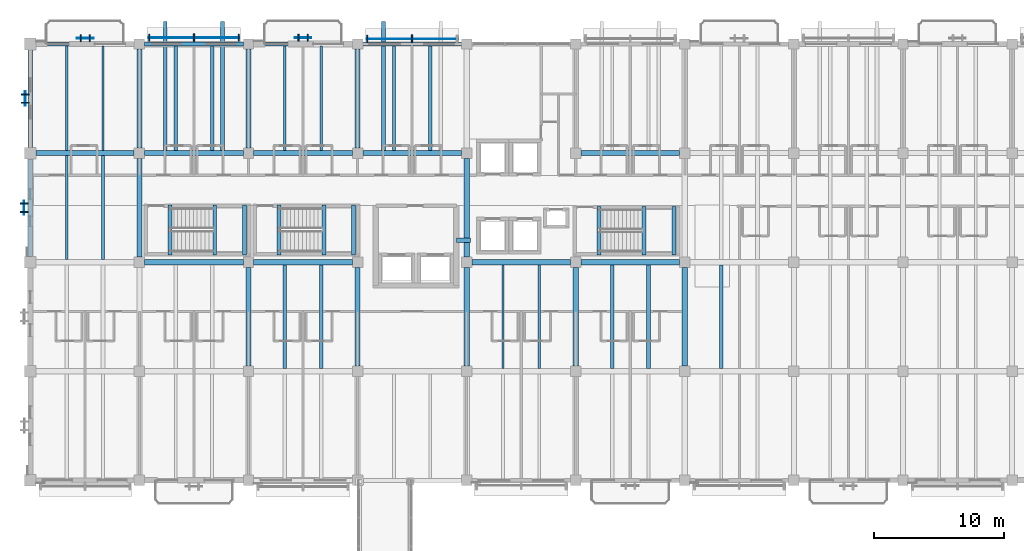
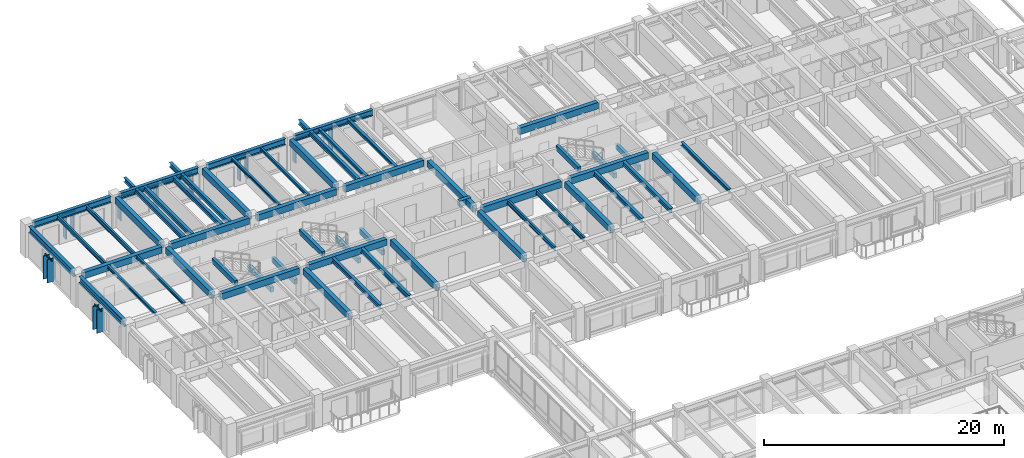
# One storey, part 18 of 123: 55 beams, 19 members, 6 elements without a shape of their own.
"""IFC4 building model written with IfcOpenShell, lengths in metres."""

from ifc_helpers import new_model, si_unit, direction, frame, origin, origin_2d, place, context, subcontext, project, spatial, rectangle, i_section, extrude, material, material_profile, profile_set, type_object, element, aggregate, save


model = new_model("IFC4")

# Units and contexts
model_context = context("Model", 3, precision=1e-05, world=origin(), true_north=direction((0.0, 1.0)))
body_context = subcontext(model_context, "Body", "Model", "MODEL_VIEW")
ifc_project = project(units=[si_unit("LENGTHUNIT", "METRE"), si_unit("AREAUNIT", "SQUARE_METRE"), si_unit("VOLUMEUNIT", "CUBIC_METRE"), si_unit("PLANEANGLEUNIT", "RADIAN"), si_unit("MASSUNIT", "GRAM", prefix="KILO")], contexts=[model_context])

# Site, building, storey
site_placement = place(None, origin())
site = spatial("IfcSite", under=ifc_project, at=site_placement, CompositionType="ELEMENT")
building_placement = place(site_placement, origin())
building = spatial("IfcBuilding", under=site, at=building_placement, Name="Cumbredor Promenade Congress Hotel", CompositionType="ELEMENT")
storey_placement = place(building_placement, frame((0.0, 0.0, 11.760009765625)))
storey = spatial("IfcBuildingStorey", under=building, at=storey_placement, Name="L03", CompositionType="ELEMENT", Elevation=11.760009765625)

# Beams
ifc_material_1 = material(Name="Concrete C40/50", Category="concrete")
ifc_material_profile_1 = material_profile(ifc_material_1, rectangle(XDim=0.39990234375, YDim=0.64990234375, at=origin_2d()), Name="RC BEAM 400x650")
ifc_profile_set_1 = profile_set([ifc_material_profile_1], Name="Concrete C40/50")
beam_type_1 = type_object("IfcBeamType", Name="BM-RC-400x650", PredefinedType="BEAM", material=ifc_profile_set_1)
beam_1_placement = place(storey_placement, frame((0.449951171875, 109.199951171875, 2.794921875), z_axis=(1.0, 0.0, 0.0), x_axis=(0.0, 1.0, 0.0)))
element("IfcBeam", 1, at=beam_1_placement, inside=storey, type_object=beam_type_1, Name="L04 X-Grid Beam 007", PredefinedType="BEAM", context=body_context, shape_type="SweptSolid", body=[
    extrude(rectangle(XDim=0.39990234375, YDim=0.64990234375, at=origin_2d()), origin(), (0.0, 0.0, 1.0), 7.550048828125),
])
beam_2_placement = place(storey_placement, frame((8.800048828125, 100.800048828125, 2.794921875), z_axis=(1.0, 0.0, 0.0), x_axis=(0.0, 1.0, 0.0)))
element("IfcBeam", 2, at=beam_2_placement, inside=storey, type_object=beam_type_1, Name="L04 X-Grid Beam 029", PredefinedType="BEAM", context=body_context, shape_type="SweptSolid", body=[
    extrude(rectangle(XDim=0.39990234375, YDim=0.64990234375, at=origin_2d()), origin(), (0.0, 0.0, 1.0), 7.599853515625),
])
beam_3_placement = place(storey_placement, frame((8.39990234375, 101.199951171875, 2.794921875), z_axis=(0.0, 1.0, 0.0), x_axis=(-1.0, 0.0, 0.0)))
element("IfcBeam", 3, at=beam_3_placement, inside=storey, type_object=beam_type_1, Name="L04 Y-Grid Beam 030", PredefinedType="BEAM", context=body_context, shape_type="SweptSolid", body=[
    extrude(rectangle(XDim=0.39990234375, YDim=0.64990234375, at=origin_2d()), origin(), (0.0, 0.0, 1.0), 7.60009765625),
])
for number, where, z_axis, x_axis, name in (
    (4, (8.800048828125, 109.199951171875, 2.794921875), (1.0, 0.0, 0.0), (0.0, 1.0, 0.0), "L04 X-Grid Beam 031"),
    (5, (8.39990234375, 109.60009765625, 2.794921875), (0.0, 1.0, 0.0), (-1.0, 0.0, 0.0), "L04 Y-Grid Beam 032"),
    (6, (16.800048828125, 92.800048828125, 2.794921875), (0.0, 1.0, 0.0), (-1.0, 0.0, 0.0), "L04 Y-Grid Beam 046"),
):
    element("IfcBeam", number, at=place(storey_placement, frame(where, z_axis=z_axis, x_axis=x_axis)), inside=storey, type_object=beam_type_1, Name=name, PredefinedType="BEAM", context=body_context, shape_type="SweptSolid", body=[
        extrude(rectangle(XDim=0.39990234375, YDim=0.64990234375, at=origin_2d()), origin(), (0.0, 0.0, 1.0), 7.599853515625),
    ])
for number, where, z_axis, x_axis, name in (
    (7, (17.199951171875, 100.800048828125, 2.794921875), (1.0, 0.0, 0.0), (0.0, 1.0, 0.0), "L04 X-Grid Beam 047"),
    (8, (17.199951171875, 109.199951171875, 2.794921875), (1.0, 0.0, 0.0), (0.0, 1.0, 0.0), "L04 X-Grid Beam 048"),
):
    element("IfcBeam", number, at=place(storey_placement, frame(where, z_axis=z_axis, x_axis=x_axis)), inside=storey, type_object=beam_type_1, Name=name, PredefinedType="BEAM", context=body_context, shape_type="SweptSolid", body=[
        extrude(rectangle(XDim=0.39990234375, YDim=0.64990234375, at=origin_2d()), origin(), (0.0, 0.0, 1.0), 7.60009765625),
    ])
for number, where, z_axis, x_axis, name in (
    (9, (16.800048828125, 109.60009765625, 2.794921875), (0.0, 1.0, 0.0), (-1.0, 0.0, 0.0), "L04 Y-Grid Beam 049"),
    (10, (25.199951171875, 92.800048828125, 2.794921875), (0.0, 1.0, 0.0), (-1.0, 0.0, 0.0), "L04 Y-Grid Beam 059"),
    (11, (25.60009765625, 109.199951171875, 2.794921875), (1.0, 0.0, 0.0), (0.0, 1.0, 0.0), "L04 X-Grid Beam 060"),
    (12, (25.199951171875, 109.60009765625, 2.794921875), (0.0, 1.0, 0.0), (-1.0, 0.0, 0.0), "L04 Y-Grid Beam 061"),
    (13, (33.60009765625, 92.800048828125, 2.794921875), (0.0, 1.0, 0.0), (-1.0, 0.0, 0.0), "L04 Y-Grid Beam 071"),
):
    element("IfcBeam", number, at=place(storey_placement, frame(where, z_axis=z_axis, x_axis=x_axis)), inside=storey, type_object=beam_type_1, Name=name, PredefinedType="BEAM", context=body_context, shape_type="SweptSolid", body=[
        extrude(rectangle(XDim=0.39990234375, YDim=0.64990234375, at=origin_2d()), origin(), (0.0, 0.0, 1.0), 7.599853515625),
    ])
for number, where, z_axis, x_axis, name in (
    (14, (34.0, 100.800048828125, 2.794921875), (1.0, 0.0, 0.0), (0.0, 1.0, 0.0), "L04 X-Grid Beam 072"),
    (15, (33.60009765625, 101.199951171875, 2.794921875), (0.0, 1.0, 0.0), (-1.0, 0.0, 0.0), "L04 Y-Grid Beam 073"),
):
    element("IfcBeam", number, at=place(storey_placement, frame(where, z_axis=z_axis, x_axis=x_axis)), inside=storey, type_object=beam_type_1, Name=name, PredefinedType="BEAM", context=body_context, shape_type="SweptSolid", body=[
        extrude(rectangle(XDim=0.39990234375, YDim=0.64990234375, at=origin_2d()), origin(), (0.0, 0.0, 1.0), 7.60009765625),
    ])
beam_4_placement = place(storey_placement, frame((42.0, 92.800048828125, 2.794921875), z_axis=(0.0, 1.0, 0.0), x_axis=(-1.0, 0.0, 0.0)))
element("IfcBeam", 16, at=beam_4_placement, inside=storey, type_object=beam_type_1, Name="L04 Y-Grid Beam 084", PredefinedType="BEAM", context=body_context, shape_type="SweptSolid", body=[
    extrude(rectangle(XDim=0.39990234375, YDim=0.64990234375, at=origin_2d()), origin(), (0.0, 0.0, 1.0), 7.599853515625),
])
for number, where, z_axis, x_axis, name in (
    (17, (42.39990234375, 100.800048828125, 2.794921875), (1.0, 0.0, 0.0), (0.0, 1.0, 0.0), "L04 X-Grid Beam 085"),
    (18, (42.39990234375, 109.199951171875, 2.794921875), (1.0, 0.0, 0.0), (0.0, 1.0, 0.0), "L04 X-Grid Beam 086"),
):
    element("IfcBeam", number, at=place(storey_placement, frame(where, z_axis=z_axis, x_axis=x_axis)), inside=storey, type_object=beam_type_1, Name=name, PredefinedType="BEAM", context=body_context, shape_type="SweptSolid", body=[
        extrude(rectangle(XDim=0.39990234375, YDim=0.64990234375, at=origin_2d()), origin(), (0.0, 0.0, 1.0), 7.60009765625),
    ])
beam_5_placement = place(storey_placement, frame((50.39990234375, 92.800048828125, 2.794921875), z_axis=(0.0, 1.0, 0.0), x_axis=(-1.0, 0.0, 0.0)))
element("IfcBeam", 19, at=beam_5_placement, inside=storey, type_object=beam_type_1, Name="L04 Y-Grid Beam 097", PredefinedType="BEAM", context=body_context, shape_type="SweptSolid", body=[
    extrude(rectangle(XDim=0.39990234375, YDim=0.64990234375, at=origin_2d()), origin(), (0.0, 0.0, 1.0), 7.599853515625),
])
ifc_material_2 = material(Name="Steel ASTM A992 Grade 50", Category="steel")
ifc_material_profile_2 = material_profile(ifc_material_2, i_section(OverallWidth=0.323974609375, OverallDepth=0.611083984375, WebThickness=0.0126953125, FlangeThickness=0.01904296875, at=origin_2d()), Name="W24X104")
ifc_profile_set_2 = profile_set([ifc_material_profile_2], Name="Steel ASTM A992 Grade 50")
beam_type_2 = type_object("IfcBeamType", Name="BM-W24X104", PredefinedType="BEAM", material=ifc_profile_set_2)
beam_6_placement = place(storey_placement, frame((0.449951171875, 117.60009765625, 2.814453125), z_axis=(1.0, 0.0, 0.0), x_axis=(0.0, 1.0, 0.0)))
element("IfcBeam", 20, at=beam_6_placement, inside=storey, type_object=beam_type_2, Name="L04 X-Grid Beam 009", PredefinedType="BEAM", context=body_context, shape_type="SweptSolid", body=[
    extrude(i_section(OverallWidth=0.323974609375, OverallDepth=0.611083984375, WebThickness=0.0126953125, FlangeThickness=0.01904296875, at=origin_2d()), origin(), (0.0, 0.0, 1.0), 7.550048828125),
])
beam_7_placement = place(storey_placement, frame((8.800048828125, 117.60009765625, 2.814453125), z_axis=(1.0, 0.0, 0.0), x_axis=(0.0, 1.0, 0.0)))
element("IfcBeam", 21, at=beam_7_placement, inside=storey, type_object=beam_type_2, Name="L04 X-Grid Beam 033", PredefinedType="BEAM", context=body_context, shape_type="SweptSolid", body=[
    extrude(i_section(OverallWidth=0.323974609375, OverallDepth=0.611083984375, WebThickness=0.0126953125, FlangeThickness=0.01904296875, at=origin_2d()), origin(), (0.0, 0.0, 1.0), 7.599853515625),
])
beam_8_placement = place(storey_placement, frame((17.199951171875, 117.60009765625, 2.814453125), z_axis=(1.0, 0.0, 0.0), x_axis=(0.0, 1.0, 0.0)))
element("IfcBeam", 22, at=beam_8_placement, inside=storey, type_object=beam_type_2, Name="L04 X-Grid Beam 050", PredefinedType="BEAM", context=body_context, shape_type="SweptSolid", body=[
    extrude(i_section(OverallWidth=0.323974609375, OverallDepth=0.611083984375, WebThickness=0.0126953125, FlangeThickness=0.01904296875, at=origin_2d()), origin(), (0.0, 0.0, 1.0), 7.60009765625),
])
beam_9_placement = place(storey_placement, frame((25.60009765625, 117.60009765625, 2.814453125), z_axis=(1.0, 0.0, 0.0), x_axis=(0.0, 1.0, 0.0)))
element("IfcBeam", 23, at=beam_9_placement, inside=storey, type_object=beam_type_2, Name="L04 X-Grid Beam 062", PredefinedType="BEAM", context=body_context, shape_type="SweptSolid", body=[
    extrude(i_section(OverallWidth=0.323974609375, OverallDepth=0.611083984375, WebThickness=0.0126953125, FlangeThickness=0.01904296875, at=origin_2d()), origin(), (0.0, 0.0, 1.0), 7.599853515625),
])

# Curtain wall, member
ifc_material_3 = material(Name="Thermally broken anodized aluminium and low-E glass", Category="aluminium")
curtain_wall_type = type_object("IfcCurtainWallType", Name="Solar Brise-Soleil Screen Assembly CW-07", PredefinedType="NOTDEFINED", material=ifc_material_3)
curtain_wall_1_placement = place(storey_placement, origin())
curtain_wall_1 = element("IfcCurtainWall", 24, at=curtain_wall_1_placement, inside=storey, type_object=curtain_wall_type, Name="L03 Veranda Solar Brise-Soleil Screen 646", PredefinedType="NOTDEFINED")
ifc_material_4 = material(Name="Thermally broken anodized aluminium", Category="aluminium")
ifc_material_profile_3 = material_profile(ifc_material_4, rectangle(XDim=0.06494140625, YDim=0.1298828125, at=origin_2d()), Name="ALU TRANSOM 65x130")
ifc_profile_set_3 = profile_set([ifc_material_profile_3], Name="Thermally broken anodized aluminium")
member_type_1 = type_object("IfcMemberType", Name="Curtain Wall Transom TR-01", PredefinedType="USERDEFINED", material=ifc_profile_set_3)
member_1_placement = place(storey_placement, frame((3.574951171875, 118.050048828125, 2.4140625), z_axis=(1.0, 0.0, 0.0), x_axis=(0.0, 1.0, 0.0)))
member_1 = element("IfcMember", 25, at=member_1_placement, type_object=member_type_1, Name="L03 Brise-Soleil Header Tie 0648", ObjectType="TRANSOM", PredefinedType="USERDEFINED", context=body_context, shape_type="SweptSolid", body=[
    extrude(rectangle(XDim=0.06494140625, YDim=0.1298828125, at=origin_2d()), origin(), (0.0, 0.0, 1.0), 1.300048828125),
])

curtain_wall_2_placement = place(storey_placement, origin())
curtain_wall_2 = element("IfcCurtainWall", 26, at=curtain_wall_2_placement, inside=storey, type_object=curtain_wall_type, Name="L03 Hospitality Brise-Soleil Screen 061", PredefinedType="NOTDEFINED")
member_2_placement = place(storey_placement, frame((9.10107421875, 118.072509765625, 2.31396484375), z_axis=(1.0, 0.0, 0.0), x_axis=(0.0, 1.0, 0.0)))
member_2 = element("IfcMember", 27, at=member_2_placement, type_object=member_type_1, Name="L03 Brise-Soleil Screen Transom 061", ObjectType="TRANSOM", PredefinedType="USERDEFINED", context=body_context, shape_type="SweptSolid", body=[
    extrude(rectangle(XDim=0.06494140625, YDim=0.1298828125, at=origin_2d()), origin(), (0.0, 0.0, 1.0), 6.998046875),
])

curtain_wall_3_placement = place(storey_placement, origin())
curtain_wall_3 = element("IfcCurtainWall", 28, at=curtain_wall_3_placement, inside=storey, type_object=curtain_wall_type, Name="L03 Veranda Solar Brise-Soleil Screen 652", PredefinedType="NOTDEFINED")
member_3_placement = place(storey_placement, frame((20.35009765625, 118.0849609375, 2.4140625), z_axis=(1.0, 0.0, 0.0), x_axis=(0.0, 1.0, 0.0)))
member_3 = element("IfcMember", 29, at=member_3_placement, type_object=member_type_1, Name="L03 Brise-Soleil Header Tie 0654", ObjectType="TRANSOM", PredefinedType="USERDEFINED", context=body_context, shape_type="SweptSolid", body=[
    extrude(rectangle(XDim=0.06494140625, YDim=0.1298828125, at=origin_2d()), origin(), (0.0, 0.0, 1.0), 1.2998046875),
])

curtain_wall_4_placement = place(storey_placement, origin())
curtain_wall_4 = element("IfcCurtainWall", 30, at=curtain_wall_4_placement, inside=storey, type_object=curtain_wall_type, Name="L03 Hospitality Brise-Soleil Screen 062", PredefinedType="NOTDEFINED")
member_4_placement = place(storey_placement, frame((25.90087890625, 117.989990234375, 2.31396484375), z_axis=(1.0, 0.0, 0.0), x_axis=(0.0, 1.0, 0.0)))
member_4 = element("IfcMember", 31, at=member_4_placement, type_object=member_type_1, Name="L03 Brise-Soleil Screen Transom 062", ObjectType="TRANSOM", PredefinedType="USERDEFINED", context=body_context, shape_type="SweptSolid", body=[
    extrude(rectangle(XDim=0.06494140625, YDim=0.1298828125, at=origin_2d()), origin(), (0.0, 0.0, 1.0), 6.998046875),
])

curtain_wall_5_placement = place(storey_placement, origin())
curtain_wall_5 = element("IfcCurtainWall", 32, at=curtain_wall_5_placement, inside=storey, type_object=curtain_wall_type, Name="L03 Pier Brise-Soleil Screen 0679", PredefinedType="NOTDEFINED")
member_5_placement = place(storey_placement, frame((-0.485107421875, 104.449951171875, 2.333984375), z_axis=(0.0, 1.0, 0.0), x_axis=(-1.0, 0.0, 0.0)))
member_5 = element("IfcMember", 33, at=member_5_placement, type_object=member_type_1, Name="L03 Pier Brise-Soleil Header 0681", ObjectType="TRANSOM", PredefinedType="USERDEFINED", context=body_context, shape_type="SweptSolid", body=[
    extrude(rectangle(XDim=0.06494140625, YDim=0.1298828125, at=origin_2d()), origin(), (0.0, 0.0, 1.0), 1.10009765625),
])

curtain_wall_6_placement = place(storey_placement, origin())
curtain_wall_6 = element("IfcCurtainWall", 34, at=curtain_wall_6_placement, inside=storey, type_object=curtain_wall_type, Name="L03 Pier Brise-Soleil Screen 0682", PredefinedType="NOTDEFINED")
member_6_placement = place(storey_placement, frame((-0.389892578125, 112.85009765625, 2.333984375), z_axis=(0.0, 1.0, 0.0), x_axis=(-1.0, 0.0, 0.0)))
member_6 = element("IfcMember", 35, at=member_6_placement, type_object=member_type_1, Name="L03 Pier Brise-Soleil Header 0684", ObjectType="TRANSOM", PredefinedType="USERDEFINED", context=body_context, shape_type="SweptSolid", body=[
    extrude(rectangle(XDim=0.06494140625, YDim=0.1298828125, at=origin_2d()), origin(), (0.0, 0.0, 1.0), 1.099853515625),
])

# Beams
ifc_material_profile_4 = material_profile(ifc_material_2, i_section(OverallWidth=0.202880859375, OverallDepth=0.302978515625, WebThickness=0.007568359375, FlangeThickness=0.01318359375, at=origin_2d()), Name="W12X40")
ifc_profile_set_4 = profile_set([ifc_material_profile_4], Name="Steel ASTM A992 Grade 50")
beam_type_3 = type_object("IfcBeamType", Name="JST-W12X40", PredefinedType="JOIST", material=ifc_profile_set_4)
for number, where, z_axis, x_axis, name in (
    (36, (2.800048828125, 101.0, 2.968505859375), (0.0, 1.0, 0.0), (-1.0, 0.0, 0.0), "L04 Secondary Floor Joist 0005"),
    (37, (5.60009765625, 101.0, 2.968505859375), (0.0, 1.0, 0.0), (-1.0, 0.0, 0.0), "L04 Secondary Floor Joist 0006"),
):
    element("IfcBeam", number, at=place(storey_placement, frame(where, z_axis=z_axis, x_axis=x_axis)), inside=storey, type_object=beam_type_3, Name=name, PredefinedType="JOIST", context=body_context, shape_type="SweptSolid", body=[
        extrude(i_section(OverallWidth=0.202880859375, OverallDepth=0.302978515625, WebThickness=0.007568359375, FlangeThickness=0.01318359375, at=origin_2d()), origin(), (0.0, 0.0, 1.0), 8.0),
    ])
for number, where, z_axis, x_axis, name in (
    (38, (19.60009765625, 109.39990234375, 2.968505859375), (0.0, 1.0, 0.0), (-1.0, 0.0, 0.0), "L04 Secondary Floor Joist 0030"),
    (39, (22.39990234375, 109.39990234375, 2.968505859375), (0.0, 1.0, 0.0), (-1.0, 0.0, 0.0), "L04 Secondary Floor Joist 0031"),
):
    element("IfcBeam", number, at=place(storey_placement, frame(where, z_axis=z_axis, x_axis=x_axis)), inside=storey, type_object=beam_type_3, Name=name, PredefinedType="JOIST", context=body_context, shape_type="SweptSolid", body=[
        extrude(i_section(OverallWidth=0.202880859375, OverallDepth=0.302978515625, WebThickness=0.007568359375, FlangeThickness=0.01318359375, at=origin_2d()), origin(), (0.0, 0.0, 1.0), 8.0380859375),
    ])
ifc_material_profile_5 = material_profile(ifc_material_2, i_section(OverallWidth=0.2548828125, OverallDepth=0.35693359375, WebThickness=0.010498046875, FlangeThickness=0.018310546875, at=origin_2d()), Name="W14X68")
ifc_profile_set_5 = profile_set([ifc_material_profile_5], Name="Steel ASTM A992 Grade 50")
beam_type_4 = type_object("IfcBeamType", Name="JST-W14X68", PredefinedType="JOIST", material=ifc_profile_set_5)
for number, where, z_axis, x_axis, name in (
    (40, (28.0, 109.39990234375, 2.94140625), (0.0, 1.0, 0.0), (-1.0, 0.0, 0.0), "L04 Secondary Floor Joist 0036"),
    (41, (30.800048828125, 109.39990234375, 2.94140625), (0.0, 1.0, 0.0), (-1.0, 0.0, 0.0), "L04 Secondary Floor Joist 0037"),
):
    element("IfcBeam", number, at=place(storey_placement, frame(where, z_axis=z_axis, x_axis=x_axis)), inside=storey, type_object=beam_type_4, Name=name, PredefinedType="JOIST", context=body_context, shape_type="SweptSolid", body=[
        extrude(i_section(OverallWidth=0.2548828125, OverallDepth=0.35693359375, WebThickness=0.010498046875, FlangeThickness=0.018310546875, at=origin_2d()), origin(), (0.0, 0.0, 1.0), 8.0380859375),
    ])
beam_10_placement = place(storey_placement, frame((53.199951171875, 92.60009765625, 2.94140625), z_axis=(0.0, 1.0, 0.0), x_axis=(-1.0, 0.0, 0.0)))
element("IfcBeam", 42, at=beam_10_placement, inside=storey, type_object=beam_type_4, Name="L04 Secondary Floor Joist 0056", PredefinedType="JOIST", context=body_context, shape_type="SweptSolid", body=[
    extrude(i_section(OverallWidth=0.2548828125, OverallDepth=0.35693359375, WebThickness=0.010498046875, FlangeThickness=0.018310546875, at=origin_2d()), origin(), (0.0, 0.0, 1.0), 8.0),
])
ifc_material_profile_6 = material_profile(ifc_material_2, i_section(OverallWidth=0.180908203125, OverallDepth=0.4169921875, WebThickness=0.010986328125, FlangeThickness=0.018310546875, at=origin_2d()), Name="W16X57")
ifc_profile_set_6 = profile_set([ifc_material_profile_6], Name="Steel ASTM A992 Grade 50")
beam_type_5 = type_object("IfcBeamType", Name="JST-W16X57", PredefinedType="JOIST", material=ifc_profile_set_6)
for number, where, z_axis, x_axis, name in (
    (43, (2.800048828125, 109.39990234375, 2.911376953125), (0.0, 1.0, 0.0), (-1.0, 0.0, 0.0), "L04 Secondary Floor Joist 0007"),
    (44, (5.60009765625, 109.39990234375, 2.911376953125), (0.0, 1.0, 0.0), (-1.0, 0.0, 0.0), "L04 Secondary Floor Joist 0008"),
):
    element("IfcBeam", number, at=place(storey_placement, frame(where, z_axis=z_axis, x_axis=x_axis)), inside=storey, type_object=beam_type_5, Name=name, PredefinedType="JOIST", context=body_context, shape_type="SweptSolid", body=[
        extrude(i_section(OverallWidth=0.180908203125, OverallDepth=0.4169921875, WebThickness=0.010986328125, FlangeThickness=0.018310546875, at=origin_2d()), origin(), (0.0, 0.0, 1.0), 8.0380859375),
    ])
for number, where, z_axis, x_axis, name in (
    (45, (36.39990234375, 92.60009765625, 2.911376953125), (0.0, 1.0, 0.0), (-1.0, 0.0, 0.0), "L04 Secondary Floor Joist 0042"),
    (46, (39.199951171875, 92.60009765625, 2.911376953125), (0.0, 1.0, 0.0), (-1.0, 0.0, 0.0), "L04 Secondary Floor Joist 0043"),
):
    element("IfcBeam", number, at=place(storey_placement, frame(where, z_axis=z_axis, x_axis=x_axis)), inside=storey, type_object=beam_type_5, Name=name, PredefinedType="JOIST", context=body_context, shape_type="SweptSolid", body=[
        extrude(i_section(OverallWidth=0.180908203125, OverallDepth=0.4169921875, WebThickness=0.010986328125, FlangeThickness=0.018310546875, at=origin_2d()), origin(), (0.0, 0.0, 1.0), 8.0),
    ])
ifc_material_profile_7 = material_profile(ifc_material_2, i_section(OverallWidth=0.280029296875, OverallDepth=0.462890625, WebThickness=0.0107421875, FlangeThickness=0.017333984375, at=origin_2d()), Name="W18X76")
ifc_profile_set_7 = profile_set([ifc_material_profile_7], Name="Steel ASTM A992 Grade 50")
beam_type_6 = type_object("IfcBeamType", Name="JST-W18X76", PredefinedType="JOIST", material=ifc_profile_set_7)
for number, where, z_axis, x_axis, name in (
    (47, (10.39990234375, 109.199951171875, 2.888427734375), (0.0, 1.0, 0.0), (-1.0, 0.0, 0.0), "L04 Balcony Back-Spanned Outrigger Beam 020.1"),
    (48, (14.800048828125, 109.199951171875, 2.888427734375), (0.0, 1.0, 0.0), (-1.0, 0.0, 0.0), "L04 Balcony Back-Spanned Outrigger Beam 020.2"),
    (49, (27.199951171875, 109.199951171875, 2.888427734375), (0.0, 1.0, 0.0), (-1.0, 0.0, 0.0), "L04 Balcony Back-Spanned Outrigger Beam 021.1"),
):
    element("IfcBeam", number, at=place(storey_placement, frame(where, z_axis=z_axis, x_axis=x_axis)), inside=storey, type_object=beam_type_6, Name=name, PredefinedType="JOIST", context=body_context, shape_type="SweptSolid", body=[
        extrude(i_section(OverallWidth=0.280029296875, OverallDepth=0.462890625, WebThickness=0.0107421875, FlangeThickness=0.017333984375, at=origin_2d()), origin(), (0.0, 0.0, 1.0), 10.150146484375),
    ])
for number, where, z_axis, x_axis, name in (
    (50, (11.199951171875, 109.39990234375, 2.888427734375), (0.0, 1.0, 0.0), (-1.0, 0.0, 0.0), "L04 Secondary Floor Joist 0023"),
    (51, (14.0, 109.39990234375, 2.888427734375), (0.0, 1.0, 0.0), (-1.0, 0.0, 0.0), "L04 Secondary Floor Joist 0024"),
):
    element("IfcBeam", number, at=place(storey_placement, frame(where, z_axis=z_axis, x_axis=x_axis)), inside=storey, type_object=beam_type_6, Name=name, PredefinedType="JOIST", context=body_context, shape_type="SweptSolid", body=[
        extrude(i_section(OverallWidth=0.280029296875, OverallDepth=0.462890625, WebThickness=0.0107421875, FlangeThickness=0.017333984375, at=origin_2d()), origin(), (0.0, 0.0, 1.0), 8.0380859375),
    ])
for number, where, z_axis, x_axis, name in (
    (52, (19.60009765625, 92.60009765625, 2.888427734375), (0.0, 1.0, 0.0), (-1.0, 0.0, 0.0), "L04 Secondary Floor Joist 0028"),
    (53, (22.39990234375, 92.60009765625, 2.888427734375), (0.0, 1.0, 0.0), (-1.0, 0.0, 0.0), "L04 Secondary Floor Joist 0029"),
    (54, (44.800048828125, 92.60009765625, 2.888427734375), (0.0, 1.0, 0.0), (-1.0, 0.0, 0.0), "L04 Secondary Floor Joist 0048"),
    (55, (47.60009765625, 92.60009765625, 2.888427734375), (0.0, 1.0, 0.0), (-1.0, 0.0, 0.0), "L04 Secondary Floor Joist 0049"),
):
    element("IfcBeam", number, at=place(storey_placement, frame(where, z_axis=z_axis, x_axis=x_axis)), inside=storey, type_object=beam_type_6, Name=name, PredefinedType="JOIST", context=body_context, shape_type="SweptSolid", body=[
        extrude(i_section(OverallWidth=0.280029296875, OverallDepth=0.462890625, WebThickness=0.0107421875, FlangeThickness=0.017333984375, at=origin_2d()), origin(), (0.0, 0.0, 1.0), 8.0),
    ])
ifc_material_profile_8 = material_profile(ifc_material_1, rectangle(XDim=0.300048828125, YDim=0.5, at=origin_2d()), Name="RC LINTEL 300x500")
ifc_profile_set_8 = profile_set([ifc_material_profile_8], Name="Concrete C40/50")
beam_type_7 = type_object("IfcBeamType", Name="LN-RC-300x500", PredefinedType="LINTEL", material=ifc_profile_set_8)
for number, where, z_axis, x_axis, name in (
    (56, (16.5, 101.3701171875, 1.22998046875), (0.0, 1.0, 0.0), (-1.0, 0.0, 0.0), "L03 Stair ST-01 Landing Ledger Beam E"),
    (57, (14.199951171875, 101.3701171875, 1.22998046875), (0.0, 1.0, 0.0), (-1.0, 0.0, 0.0), "L03 Stair ST-01 Landing Ledger Beam W"),
    (58, (10.75, 101.3701171875, 3.110107421875), (0.0, 1.0, 0.0), (-1.0, 0.0, 0.0), "L04 Stair ST-01 Well Header Trimmer Beam"),
    (59, (24.89990234375, 101.3701171875, 1.22998046875), (0.0, 1.0, 0.0), (-1.0, 0.0, 0.0), "L03 Stair ST-02 Landing Ledger Beam E"),
    (60, (22.60009765625, 101.3701171875, 1.22998046875), (0.0, 1.0, 0.0), (-1.0, 0.0, 0.0), "L03 Stair ST-02 Landing Ledger Beam W"),
    (61, (19.14990234375, 101.3701171875, 3.110107421875), (0.0, 1.0, 0.0), (-1.0, 0.0, 0.0), "L04 Stair ST-02 Well Header Trimmer Beam"),
):
    element("IfcBeam", number, at=place(storey_placement, frame(where, z_axis=z_axis, x_axis=x_axis)), inside=storey, type_object=beam_type_7, Name=name, PredefinedType="LINTEL", context=body_context, shape_type="SweptSolid", body=[
        extrude(rectangle(XDim=0.300048828125, YDim=0.5, at=origin_2d()), origin(), (0.0, 0.0, 1.0), 3.829833984375),
    ])
for number, where, z_axis, x_axis, name in (
    (62, (49.550048828125, 101.3701171875, 1.22998046875), (0.0, 1.0, 0.0), (-1.0, 0.0, 0.0), "L03 Stair ST-03 Landing Ledger Beam E"),
    (63, (47.25, 101.3701171875, 1.22998046875), (0.0, 1.0, 0.0), (-1.0, 0.0, 0.0), "L03 Stair ST-03 Landing Ledger Beam W"),
    (64, (43.800048828125, 101.3701171875, 3.110107421875), (0.0, 1.0, 0.0), (-1.0, 0.0, 0.0), "L04 Stair ST-03 Well Header Trimmer Beam"),
):
    element("IfcBeam", number, at=place(storey_placement, frame(where, z_axis=z_axis, x_axis=x_axis)), inside=storey, type_object=beam_type_7, Name=name, PredefinedType="LINTEL", context=body_context, shape_type="SweptSolid", body=[
        extrude(rectangle(XDim=0.300048828125, YDim=0.5, at=origin_2d()), origin(), (0.0, 0.0, 1.0), 3.72998046875),
    ])
ifc_material_profile_9 = material_profile(ifc_material_1, rectangle(XDim=0.35009765625, YDim=0.60009765625, at=origin_2d()), Name="RC LINTEL 350x600")
ifc_profile_set_9 = profile_set([ifc_material_profile_9], Name="Concrete C40/50")
beam_type_8 = type_object("IfcBeamType", Name="LN-RC-350x600", PredefinedType="LINTEL", material=ifc_profile_set_9)
beam_11_placement = place(storey_placement, frame((32.800048828125, 102.5, 2.820068359375), z_axis=(1.0, 0.0, 0.0), x_axis=(0.0, 1.0, 0.0)))
element("IfcBeam", 65, at=beam_11_placement, inside=storey, type_object=beam_type_8, Name="L03 Core Coupling Lintel Beam", PredefinedType="LINTEL", context=body_context, shape_type="SweptSolid", body=[
    extrude(rectangle(XDim=0.35009765625, YDim=0.60009765625, at=origin_2d()), origin(), (0.0, 0.0, 1.0), 1.099853515625),
])
ifc_material_profile_10 = material_profile(ifc_material_2, i_section(OverallWidth=0.323974609375, OverallDepth=0.611083984375, WebThickness=0.0126953125, FlangeThickness=0.01904296875, at=origin_2d()), Name="W24X104")
ifc_profile_set_10 = profile_set([ifc_material_profile_10], Name="Steel ASTM A992 Grade 50")
beam_type_9 = type_object("IfcBeamType", Name="SP-W24X104", PredefinedType="SPANDREL", material=ifc_profile_set_10)
for number, where, z_axis, x_axis, name in (
    (66, (0.0, 101.25, 2.814453125), (0.0, 1.0, 0.0), (-1.0, 0.0, 0.0), "L04 Y-Grid Beam 006"),
    (67, (0.0, 109.64990234375, 2.814453125), (0.0, 1.0, 0.0), (-1.0, 0.0, 0.0), "L04 Y-Grid Beam 008"),
):
    element("IfcBeam", number, at=place(storey_placement, frame(where, z_axis=z_axis, x_axis=x_axis)), inside=storey, type_object=beam_type_9, Name=name, PredefinedType="SPANDREL", context=body_context, shape_type="SweptSolid", body=[
        extrude(i_section(OverallWidth=0.323974609375, OverallDepth=0.611083984375, WebThickness=0.0126953125, FlangeThickness=0.01904296875, at=origin_2d()), origin(), (0.0, 0.0, 1.0), 7.5),
    ])

# Member
ifc_material_profile_11 = material_profile(ifc_material_4, rectangle(XDim=0.110107421875, YDim=0.6201171875, at=origin_2d()), Name="ARCH FIN 110x620")
ifc_profile_set_11 = profile_set([ifc_material_profile_11], Name="Thermally broken anodized aluminium")
member_type_2 = type_object("IfcMemberType", Name="Vertical Bronze Brise-Soleil Fin BSF-02 110x620", PredefinedType="USERDEFINED", material=ifc_profile_set_11)
member_7_placement = place(storey_placement, frame((12.60009765625, 118.072509765625, 0.02001953125), z_axis=(0.0, 0.0, 1.0), x_axis=(1.0, 0.0, 0.0)))
member_7 = element("IfcMember", 68, at=member_7_placement, type_object=member_type_2, Name="L03 Vertical Brise-Soleil Fin 0650", ObjectType="SOLAR FIN", PredefinedType="USERDEFINED", context=body_context, shape_type="SweptSolid", body=[
    extrude(rectangle(XDim=0.110107421875, YDim=0.6201171875, at=origin_2d()), origin(), (0.0, 0.0, 1.0), 2.35400390625),
])

member_8_placement = place(storey_placement, frame((29.39990234375, 117.989990234375, 0.02001953125), z_axis=(0.0, 0.0, 1.0), x_axis=(1.0, 0.0, 0.0)))
member_8 = element("IfcMember", 69, at=member_8_placement, type_object=member_type_2, Name="L03 Vertical Brise-Soleil Fin 0656", ObjectType="SOLAR FIN", PredefinedType="USERDEFINED", context=body_context, shape_type="SweptSolid", body=[
    extrude(rectangle(XDim=0.110107421875, YDim=0.6201171875, at=origin_2d()), origin(), (0.0, 0.0, 1.0), 2.35400390625),
])

member_9_placement = place(storey_placement, frame((-0.485107421875, 104.679931640625, 0.02001953125), z_axis=(0.0, 0.0, 1.0), x_axis=(0.0, 1.0, 0.0)))
member_9 = element("IfcMember", 70, at=member_9_placement, type_object=member_type_2, Name="L03 Pier Brise-Soleil Fin 0680", ObjectType="SOLAR FIN", PredefinedType="USERDEFINED", context=body_context, shape_type="SweptSolid", body=[
    extrude(rectangle(XDim=0.110107421875, YDim=0.6201171875, at=origin_2d()), origin(), (0.0, 0.0, 1.0), 2.35400390625),
])

member_10_placement = place(storey_placement, frame((-0.485107421875, 105.320068359375, 0.02001953125), z_axis=(0.0, 0.0, 1.0), x_axis=(0.0, 1.0, 0.0)))
member_10 = element("IfcMember", 71, at=member_10_placement, type_object=member_type_2, Name="L03 Pier Brise-Soleil Fin 0681", ObjectType="SOLAR FIN", PredefinedType="USERDEFINED", context=body_context, shape_type="SweptSolid", body=[
    extrude(rectangle(XDim=0.110107421875, YDim=0.6201171875, at=origin_2d()), origin(), (0.0, 0.0, 1.0), 2.35400390625),
])

aggregate(curtain_wall_5, [member_9, member_10, member_5])

member_11_placement = place(storey_placement, frame((-0.389892578125, 113.080078125, 0.02001953125), z_axis=(0.0, 0.0, 1.0), x_axis=(0.0, 1.0, 0.0)))
member_11 = element("IfcMember", 72, at=member_11_placement, type_object=member_type_2, Name="L03 Pier Brise-Soleil Fin 0683", ObjectType="SOLAR FIN", PredefinedType="USERDEFINED", context=body_context, shape_type="SweptSolid", body=[
    extrude(rectangle(XDim=0.110107421875, YDim=0.6201171875, at=origin_2d()), origin(), (0.0, 0.0, 1.0), 2.35400390625),
])

member_12_placement = place(storey_placement, frame((-0.389892578125, 113.719970703125, 0.02001953125), z_axis=(0.0, 0.0, 1.0), x_axis=(0.0, 1.0, 0.0)))
member_12 = element("IfcMember", 73, at=member_12_placement, type_object=member_type_2, Name="L03 Pier Brise-Soleil Fin 0684", ObjectType="SOLAR FIN", PredefinedType="USERDEFINED", context=body_context, shape_type="SweptSolid", body=[
    extrude(rectangle(XDim=0.110107421875, YDim=0.6201171875, at=origin_2d()), origin(), (0.0, 0.0, 1.0), 2.35400390625),
])

aggregate(curtain_wall_6, [member_11, member_12, member_6])

ifc_material_5 = material(Name="Kiln-dried tropical hardwood", Category="wood")
ifc_material_profile_12 = material_profile(ifc_material_5, rectangle(XDim=0.090087890625, YDim=0.550048828125, at=origin_2d()), Name="ARCH FIN 90x550")
ifc_profile_set_12 = profile_set([ifc_material_profile_12], Name="Kiln-dried tropical hardwood")
member_type_3 = type_object("IfcMemberType", Name="Vertical Hardwood Brise-Soleil Fin BSF-01 90x550", PredefinedType="USERDEFINED", material=ifc_profile_set_12)
member_13_placement = place(storey_placement, frame((3.875, 118.050048828125, -0.010009765625), z_axis=(0.0, 0.0, 1.0), x_axis=(1.0, 0.0, 0.0)))
member_13 = element("IfcMember", 74, at=member_13_placement, type_object=member_type_3, Name="L03 Vertical Hardwood Brise-Soleil Fin 0647", ObjectType="SOLAR FIN", PredefinedType="USERDEFINED", context=body_context, shape_type="SweptSolid", body=[
    extrude(rectangle(XDim=0.090087890625, YDim=0.550048828125, at=origin_2d()), origin(), (0.0, 0.0, 1.0), 2.48388671875),
])

member_14_placement = place(storey_placement, frame((4.574951171875, 118.050048828125, -0.010009765625), z_axis=(0.0, 0.0, 1.0), x_axis=(1.0, 0.0, 0.0)))
member_14 = element("IfcMember", 75, at=member_14_placement, type_object=member_type_3, Name="L03 Vertical Hardwood Brise-Soleil Fin 0648", ObjectType="SOLAR FIN", PredefinedType="USERDEFINED", context=body_context, shape_type="SweptSolid", body=[
    extrude(rectangle(XDim=0.090087890625, YDim=0.550048828125, at=origin_2d()), origin(), (0.0, 0.0, 1.0), 2.48388671875),
])

aggregate(curtain_wall_1, [member_13, member_14, member_1])

member_15_placement = place(storey_placement, frame((9.15087890625, 118.072509765625, 0.02001953125), z_axis=(0.0, 0.0, 1.0), x_axis=(1.0, 0.0, 0.0)))
member_15 = element("IfcMember", 76, at=member_15_placement, type_object=member_type_3, Name="L03 Vertical Brise-Soleil Fin 0649", ObjectType="SOLAR FIN", PredefinedType="USERDEFINED", context=body_context, shape_type="SweptSolid", body=[
    extrude(rectangle(XDim=0.090087890625, YDim=0.550048828125, at=origin_2d()), origin(), (0.0, 0.0, 1.0), 2.35400390625),
])

member_16_placement = place(storey_placement, frame((16.049072265625, 118.072509765625, 0.02001953125), z_axis=(0.0, 0.0, 1.0), x_axis=(1.0, 0.0, 0.0)))
member_16 = element("IfcMember", 77, at=member_16_placement, type_object=member_type_3, Name="L03 Vertical Brise-Soleil Fin 0651", ObjectType="SOLAR FIN", PredefinedType="USERDEFINED", context=body_context, shape_type="SweptSolid", body=[
    extrude(rectangle(XDim=0.090087890625, YDim=0.550048828125, at=origin_2d()), origin(), (0.0, 0.0, 1.0), 2.35400390625),
])

aggregate(curtain_wall_2, [member_2, member_15, member_7, member_16])

member_17_placement = place(storey_placement, frame((20.64990234375, 118.0849609375, -0.010009765625), z_axis=(0.0, 0.0, 1.0), x_axis=(1.0, 0.0, 0.0)))
member_17 = element("IfcMember", 78, at=member_17_placement, type_object=member_type_3, Name="L03 Vertical Hardwood Brise-Soleil Fin 0653", ObjectType="SOLAR FIN", PredefinedType="USERDEFINED", context=body_context, shape_type="SweptSolid", body=[
    extrude(rectangle(XDim=0.090087890625, YDim=0.550048828125, at=origin_2d()), origin(), (0.0, 0.0, 1.0), 2.48388671875),
])

member_18_placement = place(storey_placement, frame((21.35009765625, 118.0849609375, -0.010009765625), z_axis=(0.0, 0.0, 1.0), x_axis=(1.0, 0.0, 0.0)))
member_18 = element("IfcMember", 79, at=member_18_placement, type_object=member_type_3, Name="L03 Vertical Hardwood Brise-Soleil Fin 0654", ObjectType="SOLAR FIN", PredefinedType="USERDEFINED", context=body_context, shape_type="SweptSolid", body=[
    extrude(rectangle(XDim=0.090087890625, YDim=0.550048828125, at=origin_2d()), origin(), (0.0, 0.0, 1.0), 2.48388671875),
])

aggregate(curtain_wall_3, [member_17, member_18, member_3])

member_19_placement = place(storey_placement, frame((25.950927734375, 117.989990234375, 0.02001953125), z_axis=(0.0, 0.0, 1.0), x_axis=(1.0, 0.0, 0.0)))
member_19 = element("IfcMember", 80, at=member_19_placement, type_object=member_type_3, Name="L03 Vertical Brise-Soleil Fin 0655", ObjectType="SOLAR FIN", PredefinedType="USERDEFINED", context=body_context, shape_type="SweptSolid", body=[
    extrude(rectangle(XDim=0.090087890625, YDim=0.550048828125, at=origin_2d()), origin(), (0.0, 0.0, 1.0), 2.35400390625),
])

aggregate(curtain_wall_4, [member_4, member_19, member_8])

save(model, "model.ifc")
